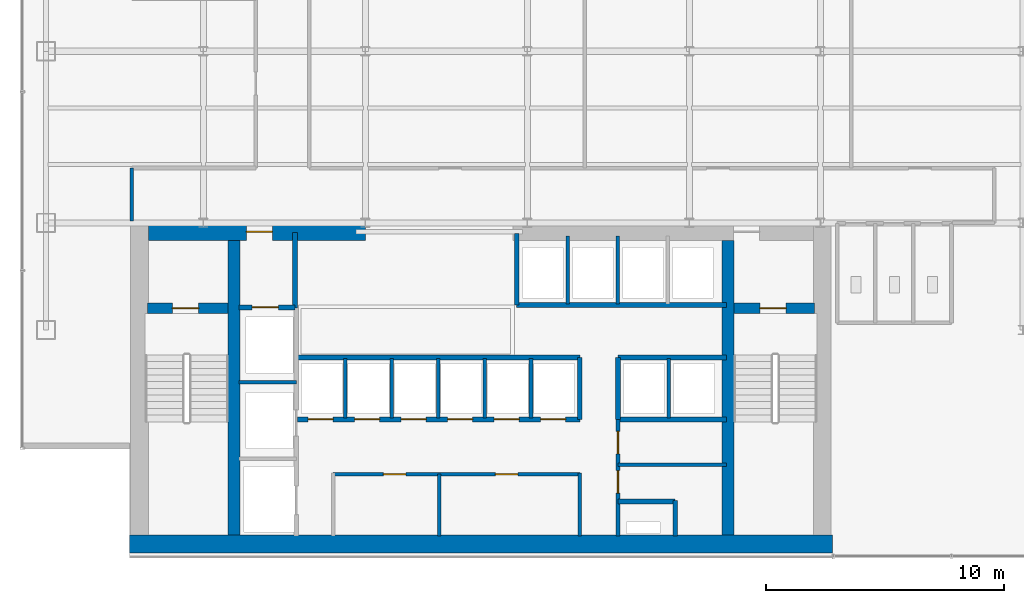
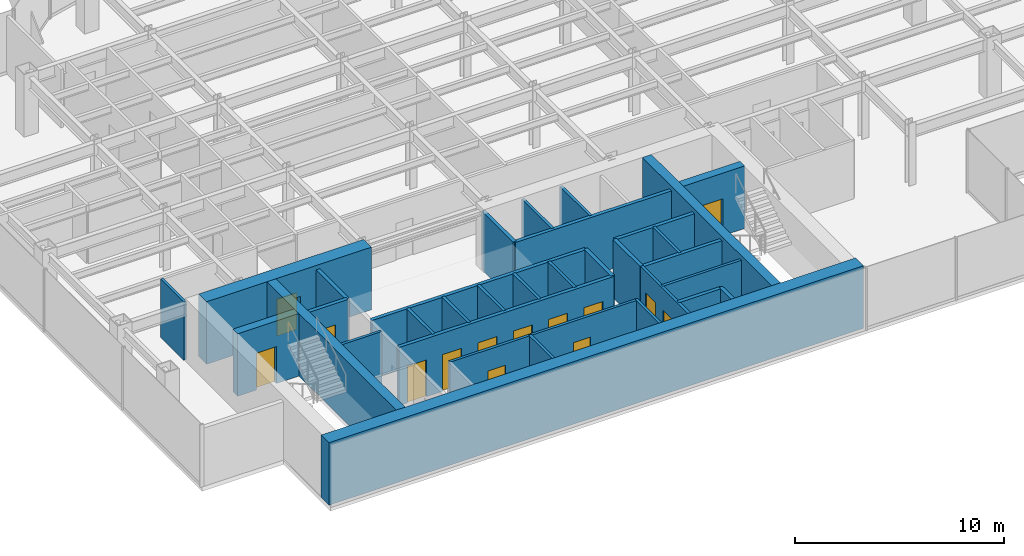
# One storey, part 21 of 26: 33 walls, 14 doors, 14 openings.
"""IFC4 building model written with IfcOpenShell, lengths in metres."""

from ifc_helpers import new_model, si_unit, derived_unit, direction, frame, frame_2d, origin, place, context, subcontext, project, spatial, rectangle, extrude, source, transform, mapped, material, layer, layer_set, type_object, element, fill, save


model = new_model("IFC4")

# Units and contexts
model_context = context("Model", 3, precision=1e-05, world=origin(), true_north=direction((0.0, 1.0)))
body_context = subcontext(model_context, "Body", "Model", "MODEL_VIEW")
ifc_project = project(units=[si_unit("LENGTHUNIT", "METRE"), si_unit("AREAUNIT", "SQUARE_METRE"), si_unit("VOLUMEUNIT", "CUBIC_METRE"), si_unit("PLANEANGLEUNIT", "RADIAN"), si_unit("MASSUNIT", "GRAM", prefix="KILO"), derived_unit("THERMALTRANSMITTANCEUNIT", [(si_unit("POWERUNIT", "WATT"), 1), (si_unit("LENGTHUNIT", "METRE"), -2), (si_unit("THERMODYNAMICTEMPERATUREUNIT", "KELVIN"), -1)])], contexts=[model_context])

# Site, building, storey
site_placement = place(None, origin())
site = spatial("IfcSite", under=ifc_project, at=site_placement, CompositionType="ELEMENT")
building_placement = place(site_placement, origin())
building = spatial("IfcBuilding", under=site, at=building_placement, Name="Skarnbrae Concourse Arena and Tower", CompositionType="ELEMENT")
storey_placement = place(building_placement, frame((0.0, 0.0, 125.14990234375)))
storey = spatial("IfcBuildingStorey", under=building, at=storey_placement, Name="L31", CompositionType="ELEMENT", Elevation=125.14990234375)

# Wall, opening, door
ifc_material_1 = material(Name="Concrete 50 MPa (C50/60)", Category="concrete")
ifc_layer_1 = layer(ifc_material_1, 0.449951171875)
ifc_layer_set_1 = layer_set([ifc_layer_1], Name="Concrete 50 MPa (C50/60)")
wall_type_1 = type_object("IfcWallType", Name="WALL-CORE-450-C50", PredefinedType="SHEAR", material=ifc_layer_set_1)
shared_shape_1 = source(origin(), body_context, "Body", "SweptSolid", [
    extrude(rectangle(XDim=3.389892578125, YDim=0.449951171875, at=frame_2d((1.69482421875, 0.0))), origin(), (0.0, 0.0, 1.0), 3.650146484375),
])
wall_1_placement = place(storey_placement, frame((5.25, 10.419921875, 0.0), z_axis=(0.0, 0.0, 1.0), x_axis=(1.0, 0.0, 0.0)))
wall_1 = element("IfcWall", 1, at=wall_1_placement, inside=storey, type_object=wall_type_1, Name="L31 Rear core shear wall CW-ST1-N", PredefinedType="SHEAR", context=body_context, shape_type="MappedRepresentation", body=[
    mapped(shared_shape_1, transform((0.0, 0.0, 0.0))),
])
opening_1_placement = place(wall_1_placement, frame((1.050048828125, 0.0, 0.0)))
opening_1 = element("IfcOpeningElement", 2, at=opening_1_placement, cuts=wall_1, Name="Opening DT-03", PredefinedType="OPENING", context=body_context, shape_type="SweptSolid", body=[
    extrude(rectangle(XDim=1.10009765625, YDim=2.14990234375, at=frame_2d((0.550048828125, 1.074951171875))), frame((0.0, 0.23486328125, 0.0), z_axis=(0.0, -1.0, 0.0), x_axis=(1.0, 0.0, 0.0)), (0.0, 0.0, 1.0), 0.469970703125),
])
ifc_material_2 = material(Name="Steel CSA G40.21 350W", Category="steel")
door_type_1 = type_object("IfcDoorType", Name="DOOR-FIRE-1100-90M", OperationType="NOTDEFINED", PredefinedType="DOOR", material=ifc_material_2)
shared_shape_2 = source(origin(), body_context, "Body", "SweptSolid", [
    extrude(rectangle(XDim=1.10009765625, YDim=2.14990234375, at=frame_2d((0.550048828125, 1.074951171875))), frame((0.0, 0.02490234375, 0.0), z_axis=(0.0, -1.0, 0.0), x_axis=(1.0, 0.0, 0.0)), (0.0, 0.0, 1.0), 0.050048828125),
])
door_1_placement = place(opening_1_placement, frame((1.10009765625, 0.0, 0.0), z_axis=(0.0, 0.0, 1.0), x_axis=(-1.0, 0.0, 0.0)))
door_1 = element("IfcDoor", 3, at=door_1_placement, inside=storey, type_object=door_type_1, Name="D-1001 Stair ST-1 Door", OperationType="SINGLE_SWING_LEFT", OverallHeight=2.14990234375, OverallWidth=1.10009765625, PredefinedType="DOOR", context=body_context, shape_type="MappedRepresentation", body=[
    mapped(shared_shape_2, transform((0.0, 0.0, 0.0))),
])
fill(opening_1, door_1)

wall_2_placement = place(storey_placement, frame((29.860107421875, 10.419921875, 0.0), z_axis=(0.0, 0.0, 1.0), x_axis=(1.0, 0.0, 0.0)))
wall_2 = element("IfcWall", 4, at=wall_2_placement, inside=storey, type_object=wall_type_1, Name="L31 Rear core shear wall CW-ST2-N", PredefinedType="SHEAR", context=body_context, shape_type="MappedRepresentation", body=[
    mapped(shared_shape_1, transform((0.0, 0.0, 0.0))),
])
opening_2_placement = place(wall_2_placement, frame((1.10009765625, 0.0, 0.0)))
opening_2 = element("IfcOpeningElement", 5, at=opening_2_placement, cuts=wall_2, Name="Opening DT-03", PredefinedType="OPENING", context=body_context, shape_type="SweptSolid", body=[
    extrude(rectangle(XDim=1.10009765625, YDim=2.14990234375, at=frame_2d((0.550048828125, 1.074951171875))), frame((0.0, 0.23486328125, 0.0), z_axis=(0.0, -1.0, 0.0), x_axis=(1.0, 0.0, 0.0)), (0.0, 0.0, 1.0), 0.469970703125),
])
door_2_placement = place(opening_2_placement, frame((1.10009765625, 0.0, 0.0), z_axis=(0.0, 0.0, 1.0), x_axis=(-1.0, 0.0, 0.0)))
door_2 = element("IfcDoor", 6, at=door_2_placement, inside=storey, type_object=door_type_1, Name="D-1002 Stair ST-2 Door", OperationType="SINGLE_SWING_RIGHT", OverallHeight=2.14990234375, OverallWidth=1.10009765625, PredefinedType="DOOR", context=body_context, shape_type="MappedRepresentation", body=[
    mapped(shared_shape_2, transform((0.0, 0.0, 0.0))),
])
fill(opening_2, door_2)

# Wall
ifc_material_3 = material(Name="Concrete 60 MPa (C60/75)", Category="concrete")
ifc_layer_2 = layer(ifc_material_3, 0.75)
ifc_layer_set_2 = layer_set([ifc_layer_2], Name="Concrete 60 MPa (C60/75)")
wall_type_2 = type_object("IfcWallType", Name="WALL-CORE-750-C60", PredefinedType="SHEAR", material=ifc_layer_set_2)
shared_shape_3 = source(origin(), body_context, "Body", "SweptSolid", [
    extrude(rectangle(XDim=29.5, YDim=0.75, at=frame_2d((14.75, 0.0))), origin(), (0.0, 0.0, 1.0), 3.650146484375),
])
wall_3_placement = place(storey_placement, frame((4.5, 0.52490234375, 0.0), z_axis=(0.0, 0.0, 1.0), x_axis=(1.0, 0.0, 0.0)))
element("IfcWall", 7, at=wall_3_placement, inside=storey, type_object=wall_type_2, Name="L31 Rear core shear wall CW-S", PredefinedType="SHEAR", context=body_context, shape_type="MappedRepresentation", body=[
    mapped(shared_shape_3, transform((0.0, 0.0, 0.0))),
])

# Wall, opening, door
shared_shape_4 = source(origin(), body_context, "Body", "SweptSolid", [
    extrude(rectangle(XDim=9.099853515625, YDim=0.75, at=frame_2d((4.5498046875, 0.0))), origin(), (0.0, 0.0, 1.0), 3.650146484375),
])
wall_4_placement = place(storey_placement, frame((5.300048828125, 13.625, 0.0), z_axis=(0.0, 0.0, 1.0), x_axis=(1.0, 0.0, 0.0)))
wall_4 = element("IfcWall", 8, at=wall_4_placement, inside=storey, type_object=wall_type_2, Name="L31 Rear core shear wall CW-NW", PredefinedType="SHEAR", context=body_context, shape_type="MappedRepresentation", body=[
    mapped(shared_shape_4, transform((0.0, 0.0, 0.0))),
])
opening_3_placement = place(wall_4_placement, frame((4.10009765625, 0.0, 0.0)))
opening_3 = element("IfcOpeningElement", 9, at=opening_3_placement, cuts=wall_4, Name="Opening DT-03", PredefinedType="OPENING", context=body_context, shape_type="SweptSolid", body=[
    extrude(rectangle(XDim=1.10009765625, YDim=2.14990234375, at=frame_2d((0.550048828125, 1.074951171875))), frame((0.0, 0.385009765625, 0.0), z_axis=(0.0, -1.0, 0.0), x_axis=(1.0, 0.0, 0.0)), (0.0, 0.0, 1.0), 0.77001953125),
])
door_3_placement = place(opening_3_placement, origin())
door_3 = element("IfcDoor", 10, at=door_3_placement, inside=storey, type_object=door_type_1, Name="D-1003 Firefighting Lobby Exit Door", OperationType="SINGLE_SWING_RIGHT", OverallHeight=2.14990234375, OverallWidth=1.10009765625, PredefinedType="DOOR", context=body_context, shape_type="MappedRepresentation", body=[
    mapped(shared_shape_2, transform((0.0, 0.0, 0.0))),
])
fill(opening_3, door_3)

# Walls
ifc_layer_3 = layer(ifc_material_3, 0.5)
ifc_layer_set_3 = layer_set([ifc_layer_3], Name="Concrete 60 MPa (C60/75)")
wall_type_3 = type_object("IfcWallType", Name="WALL-CORE-500-C60", PredefinedType="SHEAR", material=ifc_layer_set_3)
shared_shape_5 = source(origin(), body_context, "Body", "SweptSolid", [
    extrude(rectangle(XDim=12.35009765625, YDim=0.5, at=frame_2d((6.175048828125, 0.0))), origin(), (0.0, 0.0, 1.0), 3.650146484375),
])
for number, where, z_axis, x_axis, name in (
    (11, (8.889892578125, 0.89990234375, 0.0), (0.0, 0.0, 1.0), (0.0, 1.0, 0.0), "L31 Rear core shear wall CW-WEB-W"),
    (12, (29.610107421875, 0.89990234375, 0.0), (0.0, 0.0, 1.0), (0.0, 1.0, 0.0), "L31 Rear core shear wall CW-WEB-E"),
):
    element("IfcWall", number, at=place(storey_placement, frame(where, z_axis=z_axis, x_axis=x_axis)), inside=storey, type_object=wall_type_3, Name=name, PredefinedType="SHEAR", context=body_context, shape_type="MappedRepresentation", body=[
        mapped(shared_shape_5, transform((0.0, 0.0, 0.0))),
    ])
ifc_material_4 = material(Name="Gypsum board on cold-formed steel studs", Category="steel")
ifc_layer_4 = layer(ifc_material_4, 0.199951171875)
ifc_layer_set_4 = layer_set([ifc_layer_4], Name="Gypsum board on cold-formed steel studs")
wall_type_4 = type_object("IfcWallType", Name="WALL-PART-200-2HR", PredefinedType="PARTITIONING", material=ifc_layer_set_4)
shared_shape_6 = source(origin(), body_context, "Body", "SweptSolid", [
    extrude(rectangle(XDim=3.18017578125, YDim=0.199951171875, at=frame_2d((1.590087890625, 0.0))), origin(), (0.0, 0.0, 1.0), 3.400146484375),
])
wall_5_placement = place(storey_placement, frame((11.449951171875, 10.419921875, 0.0), z_axis=(0.0, 0.0, 1.0), x_axis=(0.0, 1.0, 0.0)))
element("IfcWall", 13, at=wall_5_placement, inside=storey, type_object=wall_type_4, Name="L31 Interior partition wall W-L31-FFL-E", PredefinedType="PARTITIONING", context=body_context, shape_type="MappedRepresentation", body=[
    mapped(shared_shape_6, transform((0.0, 0.0, 0.0))),
])

# Wall, opening, door
shared_shape_7 = source(origin(), body_context, "Body", "SweptSolid", [
    extrude(rectangle(XDim=2.349853515625, YDim=0.199951171875, at=frame_2d((1.1748046875, 0.0))), origin(), (0.0, 0.0, 1.0), 3.400146484375),
])
wall_6_placement = place(storey_placement, frame((9.10009765625, 10.449951171875, 0.0), z_axis=(0.0, 0.0, 1.0), x_axis=(1.0, 0.0, 0.0)))
wall_6 = element("IfcWall", 14, at=wall_6_placement, inside=storey, type_object=wall_type_4, Name="L31 Interior partition wall W-L31-FL1-N", PredefinedType="PARTITIONING", context=body_context, shape_type="MappedRepresentation", body=[
    mapped(shared_shape_7, transform((0.0, 0.0, 0.0))),
])
opening_4_placement = place(wall_6_placement, frame((0.550048828125, 0.0, 0.0)))
opening_4 = element("IfcOpeningElement", 15, at=opening_4_placement, cuts=wall_6, Name="Opening LD-01", PredefinedType="OPENING", context=body_context, shape_type="SweptSolid", body=[
    extrude(rectangle(XDim=1.10009765625, YDim=2.14990234375, at=frame_2d((0.550048828125, 1.074951171875))), frame((0.0, 0.10986328125, 0.0), z_axis=(0.0, -1.0, 0.0), x_axis=(1.0, 0.0, 0.0)), (0.0, 0.0, 1.0), 0.219970703125),
])
door_type_2 = type_object("IfcDoorType", Name="DOOR-LIFT-SLIDE-1100", OperationType="SLIDING_TO_LEFT", PredefinedType="DOOR", material=ifc_material_2)
door_4_placement = place(opening_4_placement, origin())
door_4 = element("IfcDoor", 16, at=door_4_placement, inside=storey, type_object=door_type_2, Name="D-1005 Firefighting Lift Landing Door FL-01", OperationType="SLIDING_TO_LEFT", OverallHeight=2.14990234375, OverallWidth=1.10009765625, PredefinedType="DOOR", context=body_context, shape_type="MappedRepresentation", body=[
    mapped(shared_shape_2, transform((0.0, 0.0, 0.0))),
])
fill(opening_4, door_4)

# Walls
ifc_layer_5 = layer(ifc_material_4, 0.14990234375)
ifc_layer_set_5 = layer_set([ifc_layer_5], Name="Gypsum board on cold-formed steel studs")
wall_type_5 = type_object("IfcWallType", Name="WALL-PART-150", PredefinedType="PARTITIONING", material=ifc_layer_set_5)
shared_shape_8 = source(origin(), body_context, "Body", "SweptSolid", [
    extrude(rectangle(XDim=2.39990234375, YDim=0.14990234375, at=frame_2d((1.199951171875, 0.0))), origin(), (0.0, 0.0, 1.0), 3.400146484375),
])
wall_7_placement = place(storey_placement, frame((9.10009765625, 7.300048828125, 0.0), z_axis=(0.0, 0.0, 1.0), x_axis=(1.0, 0.0, 0.0)))
element("IfcWall", 17, at=wall_7_placement, inside=storey, type_object=wall_type_5, Name="L31 Interior partition wall W-L31-FL-D2", PredefinedType="PARTITIONING", context=body_context, shape_type="MappedRepresentation", body=[
    mapped(shared_shape_8, transform((0.0, 0.0, 0.0))),
])
shared_shape_9 = source(origin(), body_context, "Body", "SweptSolid", [
    extrude(rectangle(XDim=2.599853515625, YDim=0.14990234375, at=frame_2d((1.2998046875, 0.0))), origin(), (0.0, 0.0, 1.0), 3.400146484375),
])
wall_8_placement = place(storey_placement, frame((17.5, 0.85009765625, 0.0), z_axis=(0.0, 0.0, 1.0), x_axis=(0.0, 1.0, 0.0)))
element("IfcWall", 18, at=wall_8_placement, inside=storey, type_object=wall_type_5, Name="L31 Interior partition wall W-L31-B1M-C1", PredefinedType="PARTITIONING", context=body_context, shape_type="MappedRepresentation", body=[
    mapped(shared_shape_9, transform((0.0, 0.0, 0.0))),
])

# Wall, openings, doors
shared_shape_10 = source(origin(), body_context, "Body", "SweptSolid", [
    extrude(rectangle(XDim=11.849853515625, YDim=0.199951171875, at=frame_2d((5.9248046875, 0.0))), origin(), (0.0, 0.0, 1.0), 3.400146484375),
])
wall_9_placement = place(storey_placement, frame((11.550048828125, 5.75, 0.0), z_axis=(0.0, 0.0, 1.0), x_axis=(1.0, 0.0, 0.0)))
wall_9 = element("IfcWall", 19, at=wall_9_placement, inside=storey, type_object=wall_type_4, Name="L31 Interior partition wall W-L31-B2-S", PredefinedType="PARTITIONING", context=body_context, shape_type="MappedRepresentation", body=[
    mapped(shared_shape_10, transform((0.0, 0.0, 0.0))),
])
opening_5_placement = place(wall_9_placement, frame((0.449951171875, 0.0, 0.0)))
opening_5 = element("IfcOpeningElement", 20, at=opening_5_placement, cuts=wall_9, Name="Opening LD-03", PredefinedType="OPENING", context=body_context, shape_type="SweptSolid", body=[
    extrude(rectangle(XDim=1.050048828125, YDim=2.14990234375, at=frame_2d((0.52490234375, 1.074951171875))), frame((0.0, 0.10986328125, 0.0), z_axis=(0.0, -1.0, 0.0), x_axis=(1.0, 0.0, 0.0)), (0.0, 0.0, 1.0), 0.219970703125),
])
opening_6_placement = place(wall_9_placement, frame((2.39990234375, 0.0, 0.0)))
opening_6 = element("IfcOpeningElement", 21, at=opening_6_placement, cuts=wall_9, Name="Opening LD-03", PredefinedType="OPENING", context=body_context, shape_type="SweptSolid", body=[
    extrude(rectangle(XDim=1.050048828125, YDim=2.14990234375, at=frame_2d((0.52490234375, 1.074951171875))), frame((0.0, 0.10986328125, 0.0), z_axis=(0.0, -1.0, 0.0), x_axis=(1.0, 0.0, 0.0)), (0.0, 0.0, 1.0), 0.219970703125),
])
opening_7_placement = place(wall_9_placement, frame((4.35009765625, 0.0, 0.0)))
opening_7 = element("IfcOpeningElement", 22, at=opening_7_placement, cuts=wall_9, Name="Opening LD-03", PredefinedType="OPENING", context=body_context, shape_type="SweptSolid", body=[
    extrude(rectangle(XDim=1.050048828125, YDim=2.14990234375, at=frame_2d((0.52490234375, 1.074951171875))), frame((0.0, 0.10986328125, 0.0), z_axis=(0.0, -1.0, 0.0), x_axis=(1.0, 0.0, 0.0)), (0.0, 0.0, 1.0), 0.219970703125),
])
opening_8_placement = place(wall_9_placement, frame((6.300048828125, 0.0, 0.0)))
opening_8 = element("IfcOpeningElement", 23, at=opening_8_placement, cuts=wall_9, Name="Opening LD-03", PredefinedType="OPENING", context=body_context, shape_type="SweptSolid", body=[
    extrude(rectangle(XDim=1.050048828125, YDim=2.14990234375, at=frame_2d((0.52490234375, 1.074951171875))), frame((0.0, 0.10986328125, 0.0), z_axis=(0.0, -1.0, 0.0), x_axis=(1.0, 0.0, 0.0)), (0.0, 0.0, 1.0), 0.219970703125),
])
opening_9_placement = place(wall_9_placement, frame((8.25, 0.0, 0.0)))
opening_9 = element("IfcOpeningElement", 24, at=opening_9_placement, cuts=wall_9, Name="Opening LD-03", PredefinedType="OPENING", context=body_context, shape_type="SweptSolid", body=[
    extrude(rectangle(XDim=1.050048828125, YDim=2.14990234375, at=frame_2d((0.52490234375, 1.074951171875))), frame((0.0, 0.10986328125, 0.0), z_axis=(0.0, -1.0, 0.0), x_axis=(1.0, 0.0, 0.0)), (0.0, 0.0, 1.0), 0.219970703125),
])
opening_10_placement = place(wall_9_placement, frame((10.199951171875, 0.0, 0.0)))
opening_10 = element("IfcOpeningElement", 25, at=opening_10_placement, cuts=wall_9, Name="Opening LD-03", PredefinedType="OPENING", context=body_context, shape_type="SweptSolid", body=[
    extrude(rectangle(XDim=1.050048828125, YDim=2.14990234375, at=frame_2d((0.52490234375, 1.074951171875))), frame((0.0, 0.10986328125, 0.0), z_axis=(0.0, -1.0, 0.0), x_axis=(1.0, 0.0, 0.0)), (0.0, 0.0, 1.0), 0.219970703125),
])
ifc_material_5 = material(Name="Bronze anodised aluminium 6063-T6", Category="aluminium")
door_type_3 = type_object("IfcDoorType", Name="DOOR-LIFT-SLIDE-1050", OperationType="SLIDING_TO_LEFT", PredefinedType="DOOR", material=ifc_material_5)
shared_shape_11 = source(origin(), body_context, "Body", "SweptSolid", [
    extrude(rectangle(XDim=1.050048828125, YDim=2.14990234375, at=frame_2d((0.52490234375, 1.074951171875))), frame((0.0, 0.02490234375, 0.0), z_axis=(0.0, -1.0, 0.0), x_axis=(1.0, 0.0, 0.0)), (0.0, 0.0, 1.0), 0.050048828125),
])
door_5_placement = place(opening_5_placement, frame((1.050048828125, 0.0, 0.0), z_axis=(0.0, 0.0, 1.0), x_axis=(-1.0, 0.0, 0.0)))
door_5 = element("IfcDoor", 26, at=door_5_placement, inside=storey, type_object=door_type_3, Name="D-1010 Passenger Lift Landing Door PL-2A", OperationType="SLIDING_TO_LEFT", OverallHeight=2.14990234375, OverallWidth=1.050048828125, PredefinedType="DOOR", context=body_context, shape_type="MappedRepresentation", body=[
    mapped(shared_shape_11, transform((0.0, 0.0, 0.0))),
])
fill(opening_5, door_5)
door_6_placement = place(opening_6_placement, frame((1.050048828125, 0.0, 0.0), z_axis=(0.0, 0.0, 1.0), x_axis=(-1.0, 0.0, 0.0)))
door_6 = element("IfcDoor", 27, at=door_6_placement, inside=storey, type_object=door_type_3, Name="D-1011 Passenger Lift Landing Door PL-2B", OperationType="SLIDING_TO_LEFT", OverallHeight=2.14990234375, OverallWidth=1.050048828125, PredefinedType="DOOR", context=body_context, shape_type="MappedRepresentation", body=[
    mapped(shared_shape_11, transform((0.0, 0.0, 0.0))),
])
fill(opening_6, door_6)
door_7_placement = place(opening_7_placement, frame((1.050048828125, 0.0, 0.0), z_axis=(0.0, 0.0, 1.0), x_axis=(-1.0, 0.0, 0.0)))
door_7 = element("IfcDoor", 28, at=door_7_placement, inside=storey, type_object=door_type_3, Name="D-1012 Passenger Lift Landing Door PL-2C", OperationType="SLIDING_TO_LEFT", OverallHeight=2.14990234375, OverallWidth=1.050048828125, PredefinedType="DOOR", context=body_context, shape_type="MappedRepresentation", body=[
    mapped(shared_shape_11, transform((0.0, 0.0, 0.0))),
])
fill(opening_7, door_7)
door_8_placement = place(opening_8_placement, frame((1.050048828125, 0.0, 0.0), z_axis=(0.0, 0.0, 1.0), x_axis=(-1.0, 0.0, 0.0)))
door_8 = element("IfcDoor", 29, at=door_8_placement, inside=storey, type_object=door_type_3, Name="D-1013 Passenger Lift Landing Door PL-2D", OperationType="SLIDING_TO_LEFT", OverallHeight=2.14990234375, OverallWidth=1.050048828125, PredefinedType="DOOR", context=body_context, shape_type="MappedRepresentation", body=[
    mapped(shared_shape_11, transform((0.0, 0.0, 0.0))),
])
fill(opening_8, door_8)
door_9_placement = place(opening_9_placement, frame((1.050048828125, 0.0, 0.0), z_axis=(0.0, 0.0, 1.0), x_axis=(-1.0, 0.0, 0.0)))
door_9 = element("IfcDoor", 30, at=door_9_placement, inside=storey, type_object=door_type_3, Name="D-1014 Passenger Lift Landing Door PL-2E", OperationType="SLIDING_TO_LEFT", OverallHeight=2.14990234375, OverallWidth=1.050048828125, PredefinedType="DOOR", context=body_context, shape_type="MappedRepresentation", body=[
    mapped(shared_shape_11, transform((0.0, 0.0, 0.0))),
])
fill(opening_9, door_9)
door_10_placement = place(opening_10_placement, frame((1.050048828125, 0.0, 0.0), z_axis=(0.0, 0.0, 1.0), x_axis=(-1.0, 0.0, 0.0)))
door_10 = element("IfcDoor", 31, at=door_10_placement, inside=storey, type_object=door_type_3, Name="D-1015 Passenger Lift Landing Door PL-2F", OperationType="SLIDING_TO_LEFT", OverallHeight=2.14990234375, OverallWidth=1.050048828125, PredefinedType="DOOR", context=body_context, shape_type="MappedRepresentation", body=[
    mapped(shared_shape_11, transform((0.0, 0.0, 0.0))),
])
fill(opening_10, door_10)

# Walls
wall_10_placement = place(storey_placement, frame((11.550048828125, 8.35009765625, 0.0), z_axis=(0.0, 0.0, 1.0), x_axis=(1.0, 0.0, 0.0)))
element("IfcWall", 32, at=wall_10_placement, inside=storey, type_object=wall_type_4, Name="L31 Interior partition wall W-L31-B2-N", PredefinedType="PARTITIONING", context=body_context, shape_type="MappedRepresentation", body=[
    mapped(shared_shape_10, transform((0.0, 0.0, 0.0))),
])
shared_shape_12 = source(origin(), body_context, "Body", "SweptSolid", [
    extrude(rectangle(XDim=2.60009765625, YDim=0.199951171875, at=frame_2d((1.300048828125, 0.0))), origin(), (0.0, 0.0, 1.0), 3.400146484375),
])
for number, where, z_axis, x_axis, name in (
    (33, (23.39990234375, 5.75, 0.0), (0.0, 0.0, 1.0), (0.0, 1.0, 0.0), "L31 Interior partition wall W-L31-B2-E"),
    (34, (25.0, 5.75, 0.0), (0.0, 0.0, 1.0), (0.0, 1.0, 0.0), "L31 Interior partition wall W-L31-B3S-W"),
):
    element("IfcWall", number, at=place(storey_placement, frame(where, z_axis=z_axis, x_axis=x_axis)), inside=storey, type_object=wall_type_4, Name=name, PredefinedType="PARTITIONING", context=body_context, shape_type="MappedRepresentation", body=[
        mapped(shared_shape_12, transform((0.0, 0.0, 0.0))),
    ])
shared_shape_13 = source(origin(), body_context, "Body", "SweptSolid", [
    extrude(rectangle(XDim=2.5, YDim=0.14990234375, at=frame_2d((1.25, 0.0))), origin(), (0.0, 0.0, 1.0), 3.400146484375),
])
for number, where, z_axis, x_axis, name in (
    (35, (13.550048828125, 5.800048828125, 0.0), (0.0, 0.0, 1.0), (0.0, 1.0, 0.0), "L31 Interior partition wall W-L31-B2-P1"),
    (36, (15.5, 5.800048828125, 0.0), (0.0, 0.0, 1.0), (0.0, 1.0, 0.0), "L31 Interior partition wall W-L31-B2-P2"),
    (37, (17.449951171875, 5.800048828125, 0.0), (0.0, 0.0, 1.0), (0.0, 1.0, 0.0), "L31 Interior partition wall W-L31-B2-P3"),
    (38, (19.39990234375, 5.800048828125, 0.0), (0.0, 0.0, 1.0), (0.0, 1.0, 0.0), "L31 Interior partition wall W-L31-B2-P4"),
    (39, (21.35009765625, 5.800048828125, 0.0), (0.0, 0.0, 1.0), (0.0, 1.0, 0.0), "L31 Interior partition wall W-L31-B2-P5"),
    (40, (27.139892578125, 5.800048828125, 0.0), (0.0, 0.0, 1.0), (0.0, 1.0, 0.0), "L31 Interior partition wall W-L31-B3S-P1"),
):
    element("IfcWall", number, at=place(storey_placement, frame(where, z_axis=z_axis, x_axis=x_axis)), inside=storey, type_object=wall_type_5, Name=name, PredefinedType="PARTITIONING", context=body_context, shape_type="MappedRepresentation", body=[
        mapped(shared_shape_13, transform((0.0, 0.0, 0.0))),
    ])
shared_shape_14 = source(origin(), body_context, "Body", "SweptSolid", [
    extrude(rectangle(XDim=8.800048828125, YDim=0.199951171875, at=frame_2d((4.39990234375, 0.0))), origin(), (0.0, 0.0, 1.0), 3.400146484375),
])
wall_11_placement = place(storey_placement, frame((20.75, 10.550048828125, 0.0), z_axis=(0.0, 0.0, 1.0), x_axis=(1.0, 0.0, 0.0)))
element("IfcWall", 41, at=wall_11_placement, inside=storey, type_object=wall_type_4, Name="L31 Interior partition wall W-L31-B3N-S", PredefinedType="PARTITIONING", context=body_context, shape_type="MappedRepresentation", body=[
    mapped(shared_shape_14, transform((0.0, 0.0, 0.0))),
])
shared_shape_15 = source(origin(), body_context, "Body", "SweptSolid", [
    extrude(rectangle(XDim=3.0, YDim=0.199951171875, at=frame_2d((1.5, 0.0))), origin(), (0.0, 0.0, 1.0), 3.400146484375),
])
wall_12_placement = place(storey_placement, frame((20.75, 10.550048828125, 0.0), z_axis=(0.0, 0.0, 1.0), x_axis=(0.0, 1.0, 0.0)))
element("IfcWall", 42, at=wall_12_placement, inside=storey, type_object=wall_type_4, Name="L31 Interior partition wall W-L31-B3N-W", PredefinedType="PARTITIONING", context=body_context, shape_type="MappedRepresentation", body=[
    mapped(shared_shape_15, transform((0.0, 0.0, 0.0))),
])
shared_shape_16 = source(origin(), body_context, "Body", "SweptSolid", [
    extrude(rectangle(XDim=2.849853515625, YDim=0.14990234375, at=frame_2d((1.4248046875, 0.0))), origin(), (0.0, 0.0, 1.0), 3.400146484375),
])
for number, where, z_axis, x_axis, name in (
    (43, (22.889892578125, 10.60009765625, 0.0), (0.0, 0.0, 1.0), (0.0, 1.0, 0.0), "L31 Interior partition wall W-L31-B3N-P1"),
    (44, (24.989990234375, 10.60009765625, 0.0), (0.0, 0.0, 1.0), (0.0, 1.0, 0.0), "L31 Interior partition wall W-L31-B3N-P2"),
):
    element("IfcWall", number, at=place(storey_placement, frame(where, z_axis=z_axis, x_axis=x_axis)), inside=storey, type_object=wall_type_5, Name=name, PredefinedType="PARTITIONING", context=body_context, shape_type="MappedRepresentation", body=[
        mapped(shared_shape_16, transform((0.0, 0.0, 0.0))),
    ])
shared_shape_17 = source(origin(), body_context, "Body", "SweptSolid", [
    extrude(rectangle(XDim=4.550048828125, YDim=0.199951171875, at=frame_2d((2.27490234375, 0.0))), origin(), (0.0, 0.0, 1.0), 3.400146484375),
])
for number, where, z_axis, x_axis, name in (
    (45, (25.0, 8.35009765625, 0.0), (0.0, 0.0, 1.0), (1.0, 0.0, 0.0), "L31 Interior partition wall W-L31-B3S-N"),
    (46, (25.0, 5.75, 0.0), (0.0, 0.0, 1.0), (1.0, 0.0, 0.0), "L31 Interior partition wall W-L31-B3S-S"),
):
    element("IfcWall", number, at=place(storey_placement, frame(where, z_axis=z_axis, x_axis=x_axis)), inside=storey, type_object=wall_type_4, Name=name, PredefinedType="PARTITIONING", context=body_context, shape_type="MappedRepresentation", body=[
        mapped(shared_shape_17, transform((0.0, 0.0, 0.0))),
    ])

# Wall, openings, doors
ifc_layer_6 = layer(ifc_material_4, 0.14990234375)
ifc_layer_set_6 = layer_set([ifc_layer_6], Name="Gypsum board on cold-formed steel studs")
wall_type_6 = type_object("IfcWallType", Name="WALL-PART-150-1HR", PredefinedType="PARTITIONING", material=ifc_layer_set_6)
shared_shape_18 = source(origin(), body_context, "Body", "SweptSolid", [
    extrude(rectangle(XDim=4.89990234375, YDim=0.14990234375, at=frame_2d((2.449951171875, 0.0))), origin(), (0.0, 0.0, 1.0), 3.400146484375),
])
wall_13_placement = place(storey_placement, frame((25.0, 0.85009765625, 0.0), z_axis=(0.0, 0.0, 1.0), x_axis=(0.0, 1.0, 0.0)))
wall_13 = element("IfcWall", 47, at=wall_13_placement, inside=storey, type_object=wall_type_6, Name="L31 Interior partition wall W-L31-CSV-W", PredefinedType="PARTITIONING", context=body_context, shape_type="MappedRepresentation", body=[
    mapped(shared_shape_18, transform((0.0, 0.0, 0.0))),
])
opening_11_placement = place(wall_13_placement, frame((1.800048828125, 0.0, 0.0)))
opening_11 = element("IfcOpeningElement", 48, at=opening_11_placement, cuts=wall_13, Name="Opening DT-04", PredefinedType="OPENING", context=body_context, shape_type="SweptSolid", body=[
    extrude(rectangle(XDim=0.949951171875, YDim=2.14990234375, at=frame_2d((0.47509765625, 1.074951171875))), frame((0.0, 0.0849609375, 0.0), z_axis=(0.0, -1.0, 0.0), x_axis=(1.0, 0.0, 0.0)), (0.0, 0.0, 1.0), 0.169921875),
])
opening_12_placement = place(wall_13_placement, frame((3.449951171875, 0.0, 0.0)))
opening_12 = element("IfcOpeningElement", 49, at=opening_12_placement, cuts=wall_13, Name="Opening DT-04", PredefinedType="OPENING", context=body_context, shape_type="SweptSolid", body=[
    extrude(rectangle(XDim=0.949951171875, YDim=2.14990234375, at=frame_2d((0.47509765625, 1.074951171875))), frame((0.0, 0.0849609375, 0.0), z_axis=(0.0, -1.0, 0.0), x_axis=(1.0, 0.0, 0.0)), (0.0, 0.0, 1.0), 0.169921875),
])
door_type_4 = type_object("IfcDoorType", Name="DOOR-INT-950-45M", OperationType="NOTDEFINED", PredefinedType="DOOR", material=ifc_material_2)
shared_shape_19 = source(origin(), body_context, "Body", "SweptSolid", [
    extrude(rectangle(XDim=0.949951171875, YDim=2.14990234375, at=frame_2d((0.47509765625, 1.074951171875))), frame((0.0, 0.02490234375, 0.0), z_axis=(0.0, -1.0, 0.0), x_axis=(1.0, 0.0, 0.0)), (0.0, 0.0, 1.0), 0.050048828125),
])
door_11_placement = place(opening_11_placement, origin())
door_11 = element("IfcDoor", 50, at=door_11_placement, inside=storey, type_object=door_type_4, Name="D-1016 Electrical Switch Room Door", OperationType="SINGLE_SWING_LEFT", OverallHeight=2.14990234375, OverallWidth=0.949951171875, PredefinedType="DOOR", context=body_context, shape_type="MappedRepresentation", body=[
    mapped(shared_shape_19, transform((0.0, 0.0, 0.0))),
])
fill(opening_11, door_11)
door_12_placement = place(opening_12_placement, origin())
door_12 = element("IfcDoor", 51, at=door_12_placement, inside=storey, type_object=door_type_4, Name="D-1017 Cleaner Store Door", OperationType="SINGLE_SWING_RIGHT", OverallHeight=2.14990234375, OverallWidth=0.949951171875, PredefinedType="DOOR", context=body_context, shape_type="MappedRepresentation", body=[
    mapped(shared_shape_19, transform((0.0, 0.0, 0.0))),
])
fill(opening_12, door_12)

# Walls
shared_shape_20 = source(origin(), body_context, "Body", "SweptSolid", [
    extrude(rectangle(XDim=2.39990234375, YDim=0.199951171875, at=frame_2d((1.199951171875, 0.0))), origin(), (0.0, 0.0, 1.0), 3.400146484375),
])
wall_14_placement = place(storey_placement, frame((25.0, 2.300048828125, 0.0), z_axis=(0.0, 0.0, 1.0), x_axis=(1.0, 0.0, 0.0)))
element("IfcWall", 52, at=wall_14_placement, inside=storey, type_object=wall_type_4, Name="L31 Interior partition wall W-L31-MEP-N", PredefinedType="PARTITIONING", context=body_context, shape_type="MappedRepresentation", body=[
    mapped(shared_shape_20, transform((0.0, 0.0, 0.0))),
])
shared_shape_21 = source(origin(), body_context, "Body", "SweptSolid", [
    extrude(rectangle(XDim=1.5, YDim=0.199951171875, at=frame_2d((0.75, 0.0))), origin(), (0.0, 0.0, 1.0), 3.400146484375),
])
wall_15_placement = place(storey_placement, frame((27.39990234375, 0.85009765625, 0.0), z_axis=(0.0, 0.0, 1.0), x_axis=(0.0, 1.0, 0.0)))
element("IfcWall", 53, at=wall_15_placement, inside=storey, type_object=wall_type_4, Name="L31 Interior partition wall W-L31-MEP-E", PredefinedType="PARTITIONING", context=body_context, shape_type="MappedRepresentation", body=[
    mapped(shared_shape_21, transform((0.0, 0.0, 0.0))),
])
shared_shape_22 = source(origin(), body_context, "Body", "SweptSolid", [
    extrude(rectangle(XDim=4.550048828125, YDim=0.14990234375, at=frame_2d((2.27490234375, 0.0))), origin(), (0.0, 0.0, 1.0), 3.400146484375),
])
wall_16_placement = place(storey_placement, frame((25.0, 3.85009765625, 0.0), z_axis=(0.0, 0.0, 1.0), x_axis=(1.0, 0.0, 0.0)))
element("IfcWall", 54, at=wall_16_placement, inside=storey, type_object=wall_type_5, Name="L31 Interior partition wall W-L31-CSV-H", PredefinedType="PARTITIONING", context=body_context, shape_type="MappedRepresentation", body=[
    mapped(shared_shape_22, transform((0.0, 0.0, 0.0))),
])
shared_shape_23 = source(origin(), body_context, "Body", "SweptSolid", [
    extrude(rectangle(XDim=2.64990234375, YDim=0.14990234375, at=frame_2d((1.324951171875, 0.0))), origin(), (0.0, 0.0, 1.0), 3.400146484375),
])
wall_17_placement = place(storey_placement, frame((23.39990234375, 0.85009765625, 0.0), z_axis=(0.0, 0.0, 1.0), x_axis=(0.0, 1.0, 0.0)))
element("IfcWall", 55, at=wall_17_placement, inside=storey, type_object=wall_type_6, Name="L31 Interior partition wall W-L31-B1M-E", PredefinedType="PARTITIONING", context=body_context, shape_type="MappedRepresentation", body=[
    mapped(shared_shape_23, transform((0.0, 0.0, 0.0))),
])

# Wall, openings, doors
shared_shape_24 = source(origin(), body_context, "Body", "SweptSolid", [
    extrude(rectangle(XDim=10.349853515625, YDim=0.14990234375, at=frame_2d((5.1748046875, 0.0))), origin(), (0.0, 0.0, 1.0), 3.400146484375),
])
wall_18_placement = place(storey_placement, frame((13.050048828125, 3.449951171875, 0.0), z_axis=(0.0, 0.0, 1.0), x_axis=(1.0, 0.0, 0.0)))
wall_18 = element("IfcWall", 56, at=wall_18_placement, inside=storey, type_object=wall_type_6, Name="L31 Interior partition wall W-L31-B1M-N", PredefinedType="PARTITIONING", context=body_context, shape_type="MappedRepresentation", body=[
    mapped(shared_shape_24, transform((0.0, 0.0, 0.0))),
])
opening_13_placement = place(wall_18_placement, frame((2.10009765625, 0.0, 0.0)))
opening_13 = element("IfcOpeningElement", 57, at=opening_13_placement, cuts=wall_18, Name="Opening DT-04", PredefinedType="OPENING", context=body_context, shape_type="SweptSolid", body=[
    extrude(rectangle(XDim=0.949951171875, YDim=2.14990234375, at=frame_2d((0.47509765625, 1.074951171875))), frame((0.0, 0.0849609375, 0.0), z_axis=(0.0, -1.0, 0.0), x_axis=(1.0, 0.0, 0.0)), (0.0, 0.0, 1.0), 0.169921875),
])
opening_14_placement = place(wall_18_placement, frame((6.800048828125, 0.0, 0.0)))
opening_14 = element("IfcOpeningElement", 58, at=opening_14_placement, cuts=wall_18, Name="Opening DT-04", PredefinedType="OPENING", context=body_context, shape_type="SweptSolid", body=[
    extrude(rectangle(XDim=0.949951171875, YDim=2.14990234375, at=frame_2d((0.47509765625, 1.074951171875))), frame((0.0, 0.0849609375, 0.0), z_axis=(0.0, -1.0, 0.0), x_axis=(1.0, 0.0, 0.0)), (0.0, 0.0, 1.0), 0.169921875),
])
door_13_placement = place(opening_13_placement, origin())
door_13 = element("IfcDoor", 59, at=door_13_placement, inside=storey, type_object=door_type_4, Name="D-1008 Core IT Room Door", OperationType="SINGLE_SWING_LEFT", OverallHeight=2.14990234375, OverallWidth=0.949951171875, PredefinedType="DOOR", context=body_context, shape_type="MappedRepresentation", body=[
    mapped(shared_shape_19, transform((0.0, 0.0, 0.0))),
])
fill(opening_13, door_13)
door_14_placement = place(opening_14_placement, origin())
door_14 = element("IfcDoor", 60, at=door_14_placement, inside=storey, type_object=door_type_4, Name="D-1009 Core Records Store Door", OperationType="SINGLE_SWING_RIGHT", OverallHeight=2.14990234375, OverallWidth=0.949951171875, PredefinedType="DOOR", context=body_context, shape_type="MappedRepresentation", body=[
    mapped(shared_shape_19, transform((0.0, 0.0, 0.0))),
])
fill(opening_14, door_14)

# Wall
shared_shape_25 = source(origin(), body_context, "Body", "SweptSolid", [
    extrude(rectangle(XDim=2.219970703125, YDim=0.14990234375, at=frame_2d((1.10986328125, 0.0))), origin(), (0.0, 0.0, 1.0), 3.400146484375),
])
wall_19_placement = place(storey_placement, frame((4.60009765625, 14.080078125, 0.0), z_axis=(0.0, 0.0, 1.0), x_axis=(0.0, 1.0, 0.0)))
element("IfcWall", 61, at=wall_19_placement, inside=storey, type_object=wall_type_6, Name="L31 Interior partition wall W-L31-COR-01", PredefinedType="PARTITIONING", context=body_context, shape_type="MappedRepresentation", body=[
    mapped(shared_shape_25, transform((0.0, 0.0, 0.0))),
])

save(model, "model.ifc")
